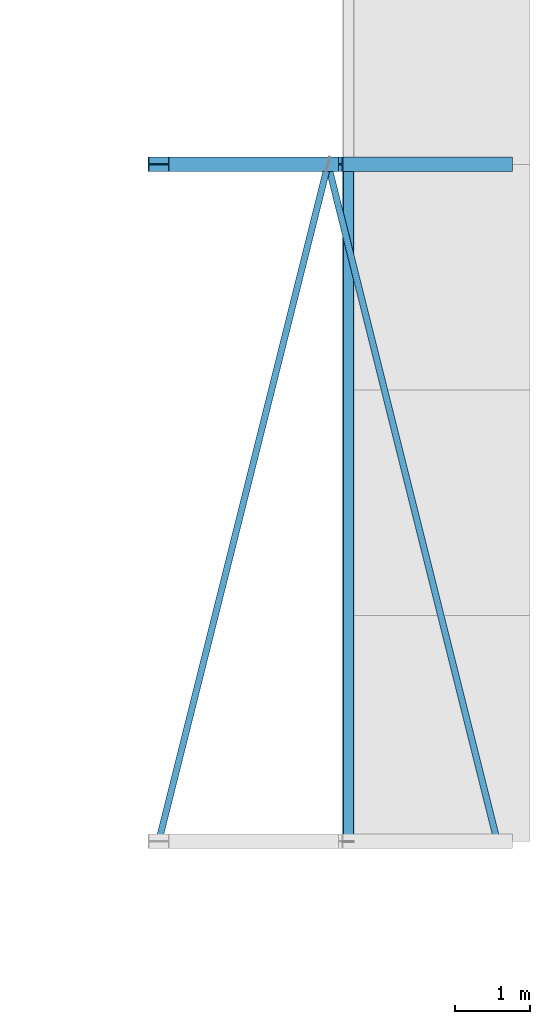
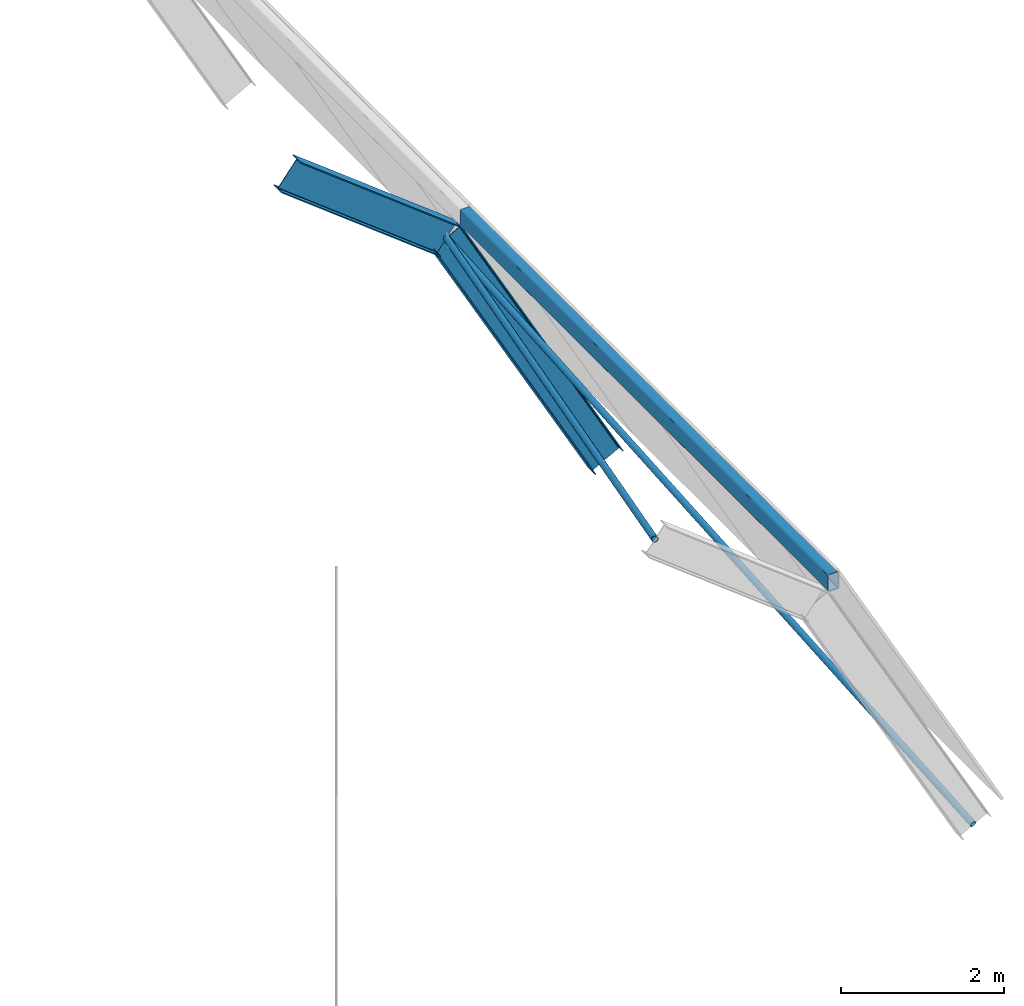
# One storey, part 17 of 62: 3 members, 2 beams.
"""IFC4 building model written with IfcOpenShell, lengths in metres."""

from ifc_helpers import new_model, si_unit, direction, frame, origin, origin_2d, place, context, subcontext, project, spatial, hollow_rectangle, hollow_circle, i_section, extrude, material, material_profile, profile_set, type_object, element, save


model = new_model("IFC4")

# Units and contexts
model_context = context("Model", 3, precision=1e-05, world=origin(), true_north=direction((0.0, 1.0)))
body_context = subcontext(model_context, "Body", "Model", "MODEL_VIEW")
ifc_project = project(units=[si_unit("LENGTHUNIT", "METRE"), si_unit("AREAUNIT", "SQUARE_METRE"), si_unit("VOLUMEUNIT", "CUBIC_METRE"), si_unit("PLANEANGLEUNIT", "RADIAN"), si_unit("MASSUNIT", "GRAM", prefix="KILO")], contexts=[model_context])

# Site, building, storey
site_placement = place(None, origin())
site = spatial("IfcSite", under=ifc_project, at=site_placement, CompositionType="ELEMENT")
building_placement = place(site_placement, origin())
building = spatial("IfcBuilding", under=site, at=building_placement, Name="Hortulan Conservatory and Botanical Research Centre", CompositionType="ELEMENT")
storey_placement = place(building_placement, frame((0.0, 0.0, 15.0)))
storey = spatial("IfcBuildingStorey", under=building, at=storey_placement, Name="L03", CompositionType="ELEMENT", Elevation=15.0)

# Beams
ifc_material_1 = material(Name="Steel Grade 300PLUS (AS/NZS 3679.1, 280 MPa minimum yield)", Category="steel")
ifc_material_profile_1 = material_profile(ifc_material_1, i_section(OverallWidth=0.18994140625, OverallDepth=0.45703125, WebThickness=0.009033203125, FlangeThickness=0.014404296875, FilletRadius=0.011474609375, at=origin_2d()), Name="460UB74.6")
ifc_profile_set_1 = profile_set([ifc_material_profile_1], Name="Steel Grade 300PLUS (AS/NZS 3679.1, 280 MPa minimum yield)")
beam_type = type_object("IfcBeamType", Name="Vault Arch 460UB74.6", PredefinedType="BEAM", material=ifc_profile_set_1)
beam_1_placement = place(storey_placement, frame((103.5, 45.0, 4.8369140625), z_axis=(0.790057951817, 0.0, -0.613032162917), x_axis=(0.0, 1.0, 0.0)))
element("IfcBeam", 1, at=beam_1_placement, inside=storey, type_object=beam_type, Name="Vault arch 2 chord 7", PredefinedType="BEAM", context=body_context, shape_type="SweptSolid", body=[
    extrude(i_section(OverallWidth=0.18994140625, OverallDepth=0.45703125, WebThickness=0.009033203125, FlangeThickness=0.014404296875, FilletRadius=0.011474609375, at=origin_2d()), origin(), (0.0, 0.0, 1.0), 2.847900390625),
])
beam_2_placement = place(storey_placement, frame((105.75, 45.0, 3.091064453125), z_axis=(0.481904698653, 0.0, -0.876223636646), x_axis=(0.0, 1.0, 0.0)))
element("IfcBeam", 2, at=beam_2_placement, inside=storey, type_object=beam_type, Name="Vault arch 2 chord 8", PredefinedType="BEAM", context=body_context, shape_type="SweptSolid", body=[
    extrude(i_section(OverallWidth=0.18994140625, OverallDepth=0.45703125, WebThickness=0.009033203125, FlangeThickness=0.014404296875, FilletRadius=0.011474609375, at=origin_2d()), origin(), (0.0, 0.0, 1.0), 4.6689453125),
])

# Members
ifc_material_2 = material(Name="Steel Grade C450L0 (450 MPa, AS/NZS 1163)", Category="steel")
ifc_material_profile_2 = material_profile(ifc_material_2, hollow_rectangle(XDim=0.14990234375, YDim=0.25, WallThickness=0.009033203125, InnerFilletRadius=0.013427734375, OuterFilletRadius=0.0224609375, at=origin_2d()), Name="250x150x9RHS")
ifc_profile_set_2 = profile_set([ifc_material_profile_2], Name="Steel Grade C450L0 (450 MPa, AS/NZS 1163)")
member_type_1 = type_object("IfcMemberType", Name="Vault Purlin 250x150x9 RHS", PredefinedType="PURLIN", material=ifc_profile_set_2)
member_1_placement = place(storey_placement, frame((106.0205078125, 36.0, 3.322021484375), z_axis=(0.0, 1.0, 0.0), x_axis=(-1.0, 0.0, 0.0)))
element("IfcMember", 3, at=member_1_placement, inside=storey, type_object=member_type_1, Name="Vault purlin 7 bay 1", PredefinedType="PURLIN", context=body_context, shape_type="SweptSolid", body=[
    extrude(hollow_rectangle(XDim=0.14990234375, YDim=0.25, WallThickness=0.009033203125, InnerFilletRadius=0.013427734375, OuterFilletRadius=0.0224609375, at=origin_2d()), origin(), (0.0, 0.0, 1.0), 9.0),
])
ifc_material_3 = material(Name="Steel Grade C350L0 (350 MPa, AS/NZS 1163)", Category="steel")
ifc_material_profile_3 = material_profile(ifc_material_3, hollow_circle(Radius=0.04443359375, WallThickness=0.005859375, at=origin_2d()), Name="88.9x5.9CHS")
ifc_profile_set_3 = profile_set([ifc_material_profile_3], Name="Steel Grade C350L0 (350 MPa, AS/NZS 1163)")
member_type_2 = type_object("IfcMemberType", Name="Vault Roof Brace 88.9x5.9 CHS", PredefinedType="BRACE", material=ifc_profile_set_3)
member_2_placement = place(storey_placement, frame((103.5, 36.0, 4.8369140625), z_axis=(0.238351615664, 0.953406462658, -0.184944922267), x_axis=(-0.970142500145, 0.242535625036, 0.0)))
element("IfcMember", 4, at=member_2_placement, inside=storey, type_object=member_type_2, Name="Vault roof brace bay 1 panel 7", PredefinedType="BRACE", context=body_context, shape_type="SweptSolid", body=[
    extrude(hollow_circle(Radius=0.04443359375, WallThickness=0.005859375, at=origin_2d()), origin(), (0.0, 0.0, 1.0), 9.43994140625),
])
member_3_placement = place(storey_placement, frame((105.75, 45.0, 3.091064453125), z_axis=(0.221915389913, -0.887661559654, -0.403497850345), x_axis=(0.970142500145, 0.242535625036, 0.0)))
element("IfcMember", 5, at=member_3_placement, inside=storey, type_object=member_type_2, Name="Vault roof brace bay 1 panel 8", PredefinedType="BRACE", context=body_context, shape_type="SweptSolid", body=[
    extrude(hollow_circle(Radius=0.04443359375, WallThickness=0.005859375, at=origin_2d()), origin(), (0.0, 0.0, 1.0), 10.138916015625),
])

save(model, "model.ifc")
